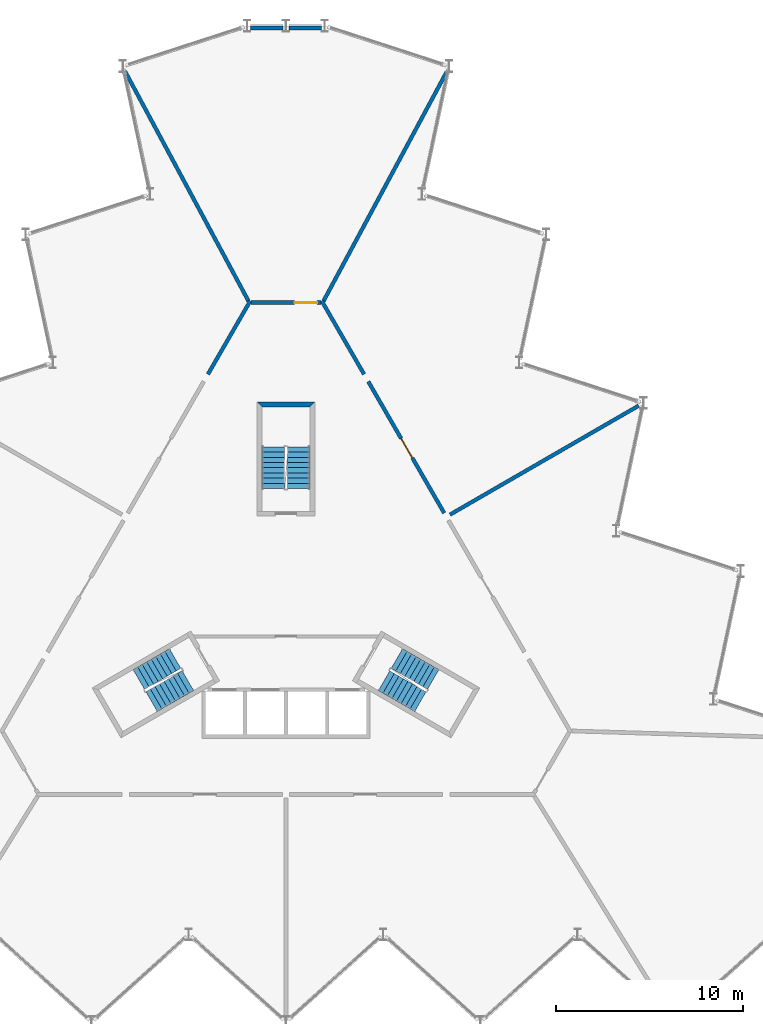
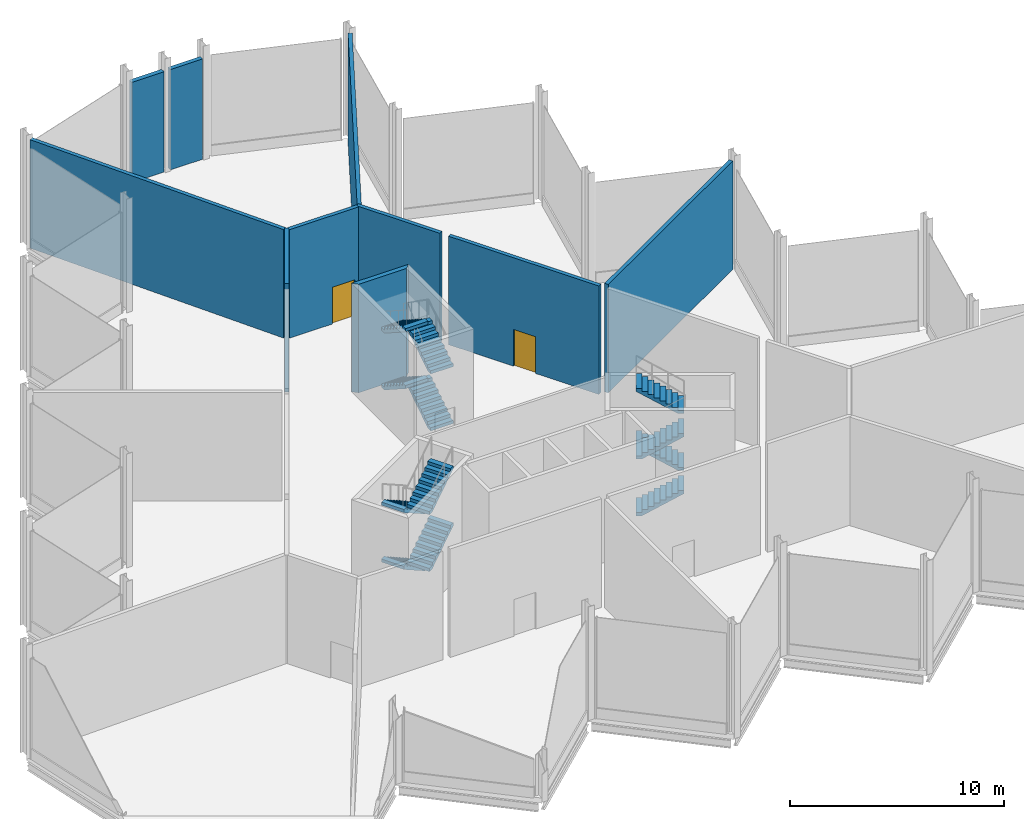
# One storey, part 11 of 12: 12 stair flights, 10 walls, 2 doors, 2 openings, 3 elements without a shape of their own.
"""IFC4 building model written with IfcOpenShell, lengths in metres."""

from ifc_helpers import new_model, si_unit, direction, frame, frame_2d, origin, place, context, subcontext, project, spatial, polyline, rectangle, outline, extrude, material, layer, layer_set, type_object, element, fill, aggregate, save


model = new_model("IFC4")

# Units and contexts
model_context = context("Model", 3, precision=1e-05, world=origin(), true_north=direction((0.0, 1.0)))
body_context = subcontext(model_context, "Body", "Model", "MODEL_VIEW")
ifc_project = project(units=[si_unit("LENGTHUNIT", "METRE"), si_unit("AREAUNIT", "SQUARE_METRE"), si_unit("VOLUMEUNIT", "CUBIC_METRE"), si_unit("PLANEANGLEUNIT", "RADIAN"), si_unit("MASSUNIT", "GRAM", prefix="KILO")], contexts=[model_context])

# Site, building, storey
site_placement = place(None, origin())
site = spatial("IfcSite", under=ifc_project, at=site_placement, CompositionType="ELEMENT")
building_placement = place(site_placement, origin())
building = spatial("IfcBuilding", under=site, at=building_placement, Name="Cormorant Prow Tower", CompositionType="ELEMENT")
storey_placement = place(building_placement, frame((0.0, 0.0, 415.199951171875)))
storey = spatial("IfcBuildingStorey", under=building, at=storey_placement, Name="L94", CompositionType="ELEMENT", Elevation=415.199951171875)

# Wall, opening, door
ifc_material_1 = material(Name="Gypsum board corridor wall")
ifc_layer_1 = layer(ifc_material_1, 0.199951171875)
ifc_layer_set_1 = layer_set([ifc_layer_1], Name="Gypsum board corridor wall")
wall_type_1 = type_object("IfcWallType", Name="Corridor wall 200", PredefinedType="PARTITIONING", material=ifc_layer_set_1)
wall_1_placement = place(storey_placement, frame((4.403076171875, 12.184814453125, 0.0), z_axis=(0.0, 0.0, 1.0), x_axis=(0.499992155518, -0.866029932751, 0.0)))
wall_1 = element("IfcWall", 1, at=wall_1_placement, inside=storey, type_object=wall_type_1, Name="Corridor wall", PredefinedType="PARTITIONING", context=body_context, shape_type="SweptSolid", body=[
    extrude(rectangle(XDim=8.123291015625, YDim=0.199951171875, at=frame_2d((4.0615234375, 0.0))), origin(), (0.0, 0.0, 1.0), 6.199951171875),
])
opening_1_placement = place(wall_1_placement, frame((3.511962890625, 0.0, 0.0)))
opening_1 = element("IfcOpeningElement", 2, at=opening_1_placement, cuts=wall_1, Name="Opening L94-F08", PredefinedType="OPENING", context=body_context, shape_type="SweptSolid", body=[
    extrude(rectangle(XDim=1.199951171875, YDim=2.10009765625, at=frame_2d((0.60009765625, 1.050048828125))), frame((0.0, 0.10986328125, 0.0), z_axis=(0.0, -1.0, 0.0), x_axis=(1.0, 0.0, 0.0)), (0.0, 0.0, 1.0), 0.219970703125),
])
ifc_material_2 = material(Name="Timber door leaf", Category="wood")
door_type = type_object("IfcDoorType", Name="Plant room door 1200x2100", OperationType="NOTDEFINED", PredefinedType="DOOR", material=ifc_material_2)
door_1_placement = place(opening_1_placement, origin())
door_1 = element("IfcDoor", 3, at=door_1_placement, inside=storey, type_object=door_type, Name="Water tank room door", OperationType="SINGLE_SWING_RIGHT", OverallHeight=2.10009765625, OverallWidth=1.199951171875, PredefinedType="DOOR", context=body_context, shape_type="SweptSolid", body=[
    extrude(rectangle(XDim=1.199951171875, YDim=2.10009765625, at=frame_2d((0.60009765625, 1.050048828125))), frame((0.0, 0.02490234375, 0.0), z_axis=(0.0, -1.0, 0.0), x_axis=(1.0, 0.0, 0.0)), (0.0, 0.0, 1.0), 0.050048828125),
])
fill(opening_1, door_1)

# Walls
for number, where, z_axis, x_axis, name in (
    (4, (1.9130859375, 16.497802734375, 0.0), (0.0, 0.0, 1.0), (0.499974648164, -0.866040040179, 0.0), "Corridor wall"),
    (5, (-4.175537109375, 12.578857421875, 0.0), (0.0, 0.0, 1.0), (0.499974648164, 0.866040040179, 0.0), "Corridor wall"),
):
    element("IfcWall", number, at=place(storey_placement, frame(where, z_axis=z_axis, x_axis=x_axis)), inside=storey, type_object=wall_type_1, Name=name, PredefinedType="PARTITIONING", context=body_context, shape_type="SweptSolid", body=[
        extrude(rectangle(XDim=4.525146484375, YDim=0.199951171875, at=frame_2d((2.2626953125, 0.0))), origin(), (0.0, 0.0, 1.0), 6.199951171875),
    ])

# Wall, opening, door
wall_2_placement = place(storey_placement, frame((-1.863037109375, 16.4111328125, 0.0), z_axis=(0.0, 0.0, 1.0), x_axis=(1.0, 0.0, 0.0)))
wall_2 = element("IfcWall", 6, at=wall_2_placement, inside=storey, type_object=wall_type_1, Name="Corridor wall", PredefinedType="PARTITIONING", context=body_context, shape_type="SweptSolid", body=[
    extrude(rectangle(XDim=3.72607421875, YDim=0.199951171875, at=frame_2d((1.863037109375, 0.0))), origin(), (0.0, 0.0, 1.0), 6.199951171875),
])
opening_2_placement = place(wall_2_placement, frame((2.324951171875, 0.0, 0.0)))
opening_2 = element("IfcOpeningElement", 7, at=opening_2_placement, cuts=wall_2, Name="Opening L94-F09", PredefinedType="OPENING", context=body_context, shape_type="SweptSolid", body=[
    extrude(rectangle(XDim=1.199951171875, YDim=2.10009765625, at=frame_2d((0.60009765625, 1.050048828125))), frame((0.0, 0.10986328125, 0.0), z_axis=(0.0, -1.0, 0.0), x_axis=(1.0, 0.0, 0.0)), (0.0, 0.0, 1.0), 0.219970703125),
])
door_2_placement = place(opening_2_placement, origin())
door_2 = element("IfcDoor", 8, at=door_2_placement, inside=storey, type_object=door_type, Name="Electrical switch room door", OperationType="SINGLE_SWING_RIGHT", OverallHeight=2.10009765625, OverallWidth=1.199951171875, PredefinedType="DOOR", context=body_context, shape_type="SweptSolid", body=[
    extrude(rectangle(XDim=1.199951171875, YDim=2.10009765625, at=frame_2d((0.60009765625, 1.050048828125))), frame((0.0, 0.02490234375, 0.0), z_axis=(0.0, -1.0, 0.0), x_axis=(1.0, 0.0, 0.0)), (0.0, 0.0, 1.0), 0.050048828125),
])
fill(opening_2, door_2)

# Walls
ifc_material_3 = material(Name="Gypsum board demising wall")
ifc_layer_2 = layer(ifc_material_3, 0.199951171875)
ifc_layer_set_2 = layer_set([ifc_layer_2], Name="Gypsum board demising wall")
wall_type_2 = type_object("IfcWallType", Name="Demising wall 200", PredefinedType="PARTITIONING", material=ifc_layer_set_2)
for number, where, z_axis, x_axis, name in (
    (9, (-8.618896484375, 28.797119140625, 0.0), (0.0, 0.0, 1.0), (0.473341524228, -0.880878993643, 0.0), "Demising wall"),
    (10, (2.010498046875, 16.4990234375, 0.0), (0.0, 0.0, 1.0), (0.473341524228, 0.880878993643, 0.0), "Demising wall"),
):
    element("IfcWall", number, at=place(storey_placement, frame(where, z_axis=z_axis, x_axis=x_axis)), inside=storey, type_object=wall_type_2, Name=name, PredefinedType="PARTITIONING", context=body_context, shape_type="SweptSolid", body=[
        extrude(rectangle(XDim=13.961181640625, YDim=0.199951171875, at=frame_2d((6.98046875, 0.0))), origin(), (0.0, 0.0, 1.0), 6.199951171875),
    ])
wall_3_placement = place(storey_placement, frame((8.775390625, 5.06640625, 0.0), z_axis=(0.0, 0.0, 1.0), x_axis=(0.866023724155, 0.500002909193, 0.0)))
element("IfcWall", 11, at=wall_3_placement, inside=storey, type_object=wall_type_2, Name="Demising wall", PredefinedType="PARTITIONING", context=body_context, shape_type="SweptSolid", body=[
    extrude(rectangle(XDim=11.65478515625, YDim=0.199951171875, at=frame_2d((5.827392578125, 0.0))), origin(), (0.0, 0.0, 1.0), 6.199951171875),
])
ifc_material_4 = material(Name="Concrete 8000 psi", Category="concrete")
ifc_layer_3 = layer(ifc_material_4, 0.25)
ifc_layer_set_3 = layer_set([ifc_layer_3], Name="Concrete 8000 psi")
wall_type_3 = type_object("IfcWallType", Name="Stair wall 250", PredefinedType="SHEAR", material=ifc_layer_set_3)
wall_4_placement = place(storey_placement, origin())
element("IfcWall", 12, at=wall_4_placement, inside=storey, type_object=wall_type_3, Name="Stair ST3 enclosure wall (end)", PredefinedType="SHEAR", context=body_context, shape_type="SweptSolid", body=[
    extrude(outline(polyline([(1.5439453125, 11.0869140625), (-1.5439453125, 11.0869140625), (-1.2939453125, 10.8369140625), (1.2939453125, 10.8369140625), (1.5439453125, 11.0869140625)])), origin(), (0.0, 0.0, 1.0), 6.199951171875),
])
ifc_material_5 = material(Name="Terracotta", Category="masonry")
ifc_layer_4 = layer(ifc_material_5, 0.22998046875)
ifc_layer_set_4 = layer_set([ifc_layer_4], Name="Terracotta")
wall_type_4 = type_object("IfcWallType", Name="Terracotta crown cladding wall 230", PredefinedType="SOLIDWALL", material=ifc_layer_set_4)
for number, where, z_axis, x_axis, name in (
    (13, (1.91064453125, 31.1044921875, 0.0), (0.0, 0.0, 1.0), (-1.0, 0.0, 0.0), "Terracotta crown wall N00"),
    (14, (-0.163330078125, 31.1044921875, 0.0), (0.0, 0.0, 1.0), (-1.0, 0.0, 0.0), "Terracotta crown wall N01"),
):
    element("IfcWall", number, at=place(storey_placement, frame(where, z_axis=z_axis, x_axis=x_axis)), inside=storey, type_object=wall_type_4, Name=name, PredefinedType="SOLIDWALL", context=body_context, shape_type="SweptSolid", body=[
        extrude(rectangle(XDim=1.747314453125, YDim=0.22998046875, at=frame_2d((0.87353515625, 0.0))), origin(), (0.0, 0.0, 1.0), 5.73388671875),
    ])

# Stair, stair flights
ifc_material_6 = material(Name="Exit stair 36 risers")
stair_type = type_object("IfcStairType", Name="Exit stair 36 risers", PredefinedType="HALF_TURN_STAIR", material=ifc_material_6)
stair_1_placement = place(storey_placement, origin())
stair_1 = element("IfcStair", 15, at=stair_1_placement, inside=storey, type_object=stair_type, Name="L94 Exit stair ST1", PredefinedType="HALF_TURN_STAIR")
ifc_material_7 = material(Name="Concrete 5000 psi", Category="concrete")
stair_flight_type = type_object("IfcStairFlightType", Name="Stair flight 1219", PredefinedType="STRAIGHT", material=ifc_material_7)
stair_flight_1_placement = place(storey_placement, frame((-5.93310546875, -2.635009765625, 0.0), z_axis=(0.0, 0.0, 1.0), x_axis=(-0.866025403784, -0.5, 0.0)))
stair_flight_1 = element("IfcStairFlight", 16, at=stair_flight_1_placement, type_object=stair_flight_type, Name="ST1 flight 1", NumberOfRisers=9, NumberOfTreads=8, PredefinedType="STRAIGHT", RiserHeight=0.180555556, TreadLength=0.28, context=body_context, shape_type="SweptSolid", body=[
    extrude(outline(polyline([(0.0, 0.0), (0.0, 0.1806640625), (0.280029296875, 0.1806640625), (0.280029296875, 0.361083984375), (0.56005859375, 0.361083984375), (0.56005859375, 0.541748046875), (0.840087890625, 0.541748046875), (0.840087890625, 0.72216796875), (1.1201171875, 0.72216796875), (1.1201171875, 0.90283203125), (1.39990234375, 0.90283203125), (1.39990234375, 1.083251953125), (1.679931640625, 1.083251953125), (1.679931640625, 1.263916015625), (1.9599609375, 1.263916015625), (1.9599609375, 1.4443359375), (2.239990234375, 1.4443359375), (2.239990234375, 1.625), (2.239990234375, 1.26611328125), (0.276611328125, 0.0), (0.0, 0.0)])), frame((0.0, 0.609375, 0.0), z_axis=(0.0, -1.0, 0.0), x_axis=(1.0, 0.0, 0.0)), (0.0, 0.0, 1.0), 1.218994140625),
])
stair_flight_2_placement = place(storey_placement, frame((-7.1884765625, -4.940673828125, 1.625), z_axis=(0.0, 0.0, 1.0), x_axis=(0.866025403784, 0.5, 0.0)))
stair_flight_2 = element("IfcStairFlight", 17, at=stair_flight_2_placement, type_object=stair_flight_type, Name="ST1 flight 2", NumberOfRisers=9, NumberOfTreads=8, PredefinedType="STRAIGHT", RiserHeight=0.180555556, TreadLength=0.28, context=body_context, shape_type="SweptSolid", body=[
    extrude(outline(polyline([(0.0, 0.0), (0.0, 0.1806640625), (0.280029296875, 0.1806640625), (0.280029296875, 0.361083984375), (0.56005859375, 0.361083984375), (0.56005859375, 0.541748046875), (0.840087890625, 0.541748046875), (0.840087890625, 0.72216796875), (1.1201171875, 0.72216796875), (1.1201171875, 0.90283203125), (1.39990234375, 0.90283203125), (1.39990234375, 1.083251953125), (1.679931640625, 1.083251953125), (1.679931640625, 1.263916015625), (1.9599609375, 1.263916015625), (1.9599609375, 1.4443359375), (2.239990234375, 1.4443359375), (2.239990234375, 1.625), (2.239990234375, 1.26611328125), (0.276611328125, 0.0), (0.0, 0.0)])), frame((0.0, 0.609375, 0.0), z_axis=(0.0, -1.0, 0.0), x_axis=(1.0, 0.0, 0.0)), (0.0, 0.0, 1.0), 1.218994140625),
])
stair_flight_3_placement = place(storey_placement, frame((-5.93310546875, -2.635009765625, 3.25), z_axis=(0.0, 0.0, 1.0), x_axis=(-0.866025403784, -0.5, 0.0)))
stair_flight_3 = element("IfcStairFlight", 18, at=stair_flight_3_placement, type_object=stair_flight_type, Name="ST1 flight 3", NumberOfRisers=9, NumberOfTreads=8, PredefinedType="STRAIGHT", RiserHeight=0.180555556, TreadLength=0.28, context=body_context, shape_type="SweptSolid", body=[
    extrude(outline(polyline([(0.0, 0.0), (0.0, 0.1806640625), (0.280029296875, 0.1806640625), (0.280029296875, 0.361083984375), (0.56005859375, 0.361083984375), (0.56005859375, 0.541748046875), (0.840087890625, 0.541748046875), (0.840087890625, 0.72216796875), (1.1201171875, 0.72216796875), (1.1201171875, 0.90283203125), (1.39990234375, 0.90283203125), (1.39990234375, 1.083251953125), (1.679931640625, 1.083251953125), (1.679931640625, 1.263916015625), (1.9599609375, 1.263916015625), (1.9599609375, 1.4443359375), (2.239990234375, 1.4443359375), (2.239990234375, 1.625), (2.239990234375, 1.26611328125), (0.276611328125, 0.0), (0.0, 0.0)])), frame((0.0, 0.609375, 0.0), z_axis=(0.0, -1.0, 0.0), x_axis=(1.0, 0.0, 0.0)), (0.0, 0.0, 1.0), 1.218994140625),
])
stair_flight_4_placement = place(storey_placement, frame((-7.1884765625, -4.940673828125, 4.875), z_axis=(0.0, 0.0, 1.0), x_axis=(0.866025403784, 0.5, 0.0)))
stair_flight_4 = element("IfcStairFlight", 19, at=stair_flight_4_placement, type_object=stair_flight_type, Name="ST1 flight 4", NumberOfRisers=9, NumberOfTreads=8, PredefinedType="STRAIGHT", RiserHeight=0.180555556, TreadLength=0.28, context=body_context, shape_type="SweptSolid", body=[
    extrude(outline(polyline([(0.0, 0.0), (0.0, 0.1806640625), (0.280029296875, 0.1806640625), (0.280029296875, 0.361083984375), (0.56005859375, 0.361083984375), (0.56005859375, 0.541748046875), (0.840087890625, 0.541748046875), (0.840087890625, 0.72216796875), (1.1201171875, 0.72216796875), (1.1201171875, 0.90283203125), (1.39990234375, 0.90283203125), (1.39990234375, 1.083251953125), (1.679931640625, 1.083251953125), (1.679931640625, 1.263916015625), (1.9599609375, 1.263916015625), (1.9599609375, 1.4443359375), (2.239990234375, 1.4443359375), (2.239990234375, 1.625), (2.239990234375, 1.26611328125), (0.276611328125, 0.0), (0.0, 0.0)])), frame((0.0, 0.609375, 0.0), z_axis=(0.0, -1.0, 0.0), x_axis=(1.0, 0.0, 0.0)), (0.0, 0.0, 1.0), 1.218994140625),
])
aggregate(stair_1, [stair_flight_1, stair_flight_2, stair_flight_3, stair_flight_4])

stair_2_placement = place(storey_placement, origin())
stair_2 = element("IfcStair", 20, at=stair_2_placement, inside=storey, type_object=stair_type, Name="L94 Exit stair ST2", PredefinedType="HALF_TURN_STAIR")
stair_flight_5_placement = place(storey_placement, frame((5.24853515625, -3.82080078125, 0.0), z_axis=(0.0, 0.0, 1.0), x_axis=(0.866025403784, -0.5, 0.0)))
stair_flight_5 = element("IfcStairFlight", 21, at=stair_flight_5_placement, type_object=stair_flight_type, Name="ST2 flight 1", NumberOfRisers=9, NumberOfTreads=8, PredefinedType="STRAIGHT", RiserHeight=0.180555556, TreadLength=0.28, context=body_context, shape_type="SweptSolid", body=[
    extrude(outline(polyline([(0.0, 0.0), (0.0, 0.1806640625), (0.280029296875, 0.1806640625), (0.280029296875, 0.361083984375), (0.56005859375, 0.361083984375), (0.56005859375, 0.541748046875), (0.840087890625, 0.541748046875), (0.840087890625, 0.72216796875), (1.1201171875, 0.72216796875), (1.1201171875, 0.90283203125), (1.39990234375, 0.90283203125), (1.39990234375, 1.083251953125), (1.679931640625, 1.083251953125), (1.679931640625, 1.263916015625), (1.9599609375, 1.263916015625), (1.9599609375, 1.4443359375), (2.239990234375, 1.4443359375), (2.239990234375, 1.625), (2.239990234375, 1.26611328125), (0.276611328125, 0.0), (0.0, 0.0)])), frame((0.0, 0.609375, 0.0), z_axis=(0.0, -1.0, 0.0), x_axis=(1.0, 0.0, 0.0)), (0.0, 0.0, 1.0), 1.218994140625),
])
stair_flight_6_placement = place(storey_placement, frame((7.873046875, -3.755126953125, 1.625), z_axis=(0.0, 0.0, 1.0), x_axis=(-0.866025403784, 0.5, 0.0)))
stair_flight_6 = element("IfcStairFlight", 22, at=stair_flight_6_placement, type_object=stair_flight_type, Name="ST2 flight 2", NumberOfRisers=9, NumberOfTreads=8, PredefinedType="STRAIGHT", RiserHeight=0.180555556, TreadLength=0.28, context=body_context, shape_type="SweptSolid", body=[
    extrude(outline(polyline([(0.0, 0.0), (0.0, 0.1806640625), (0.280029296875, 0.1806640625), (0.280029296875, 0.361083984375), (0.56005859375, 0.361083984375), (0.56005859375, 0.541748046875), (0.840087890625, 0.541748046875), (0.840087890625, 0.72216796875), (1.1201171875, 0.72216796875), (1.1201171875, 0.90283203125), (1.39990234375, 0.90283203125), (1.39990234375, 1.083251953125), (1.679931640625, 1.083251953125), (1.679931640625, 1.263916015625), (1.9599609375, 1.263916015625), (1.9599609375, 1.4443359375), (2.239990234375, 1.4443359375), (2.239990234375, 1.625), (2.239990234375, 1.26611328125), (0.276611328125, 0.0), (0.0, 0.0)])), frame((0.0, 0.609375, 0.0), z_axis=(0.0, -1.0, 0.0), x_axis=(1.0, 0.0, 0.0)), (0.0, 0.0, 1.0), 1.218994140625),
])
stair_flight_7_placement = place(storey_placement, frame((5.24853515625, -3.82080078125, 3.25), z_axis=(0.0, 0.0, 1.0), x_axis=(0.866025403784, -0.5, 0.0)))
stair_flight_7 = element("IfcStairFlight", 23, at=stair_flight_7_placement, type_object=stair_flight_type, Name="ST2 flight 3", NumberOfRisers=9, NumberOfTreads=8, PredefinedType="STRAIGHT", RiserHeight=0.180555556, TreadLength=0.28, context=body_context, shape_type="SweptSolid", body=[
    extrude(outline(polyline([(0.0, 0.0), (0.0, 0.1806640625), (0.280029296875, 0.1806640625), (0.280029296875, 0.361083984375), (0.56005859375, 0.361083984375), (0.56005859375, 0.541748046875), (0.840087890625, 0.541748046875), (0.840087890625, 0.72216796875), (1.1201171875, 0.72216796875), (1.1201171875, 0.90283203125), (1.39990234375, 0.90283203125), (1.39990234375, 1.083251953125), (1.679931640625, 1.083251953125), (1.679931640625, 1.263916015625), (1.9599609375, 1.263916015625), (1.9599609375, 1.4443359375), (2.239990234375, 1.4443359375), (2.239990234375, 1.625), (2.239990234375, 1.26611328125), (0.276611328125, 0.0), (0.0, 0.0)])), frame((0.0, 0.609375, 0.0), z_axis=(0.0, -1.0, 0.0), x_axis=(1.0, 0.0, 0.0)), (0.0, 0.0, 1.0), 1.218994140625),
])
stair_flight_8_placement = place(storey_placement, frame((7.873046875, -3.755126953125, 4.875), z_axis=(0.0, 0.0, 1.0), x_axis=(-0.866025403784, 0.5, 0.0)))
stair_flight_8 = element("IfcStairFlight", 24, at=stair_flight_8_placement, type_object=stair_flight_type, Name="ST2 flight 4", NumberOfRisers=9, NumberOfTreads=8, PredefinedType="STRAIGHT", RiserHeight=0.180555556, TreadLength=0.28, context=body_context, shape_type="SweptSolid", body=[
    extrude(outline(polyline([(0.0, 0.0), (0.0, 0.1806640625), (0.280029296875, 0.1806640625), (0.280029296875, 0.361083984375), (0.56005859375, 0.361083984375), (0.56005859375, 0.541748046875), (0.840087890625, 0.541748046875), (0.840087890625, 0.72216796875), (1.1201171875, 0.72216796875), (1.1201171875, 0.90283203125), (1.39990234375, 0.90283203125), (1.39990234375, 1.083251953125), (1.679931640625, 1.083251953125), (1.679931640625, 1.263916015625), (1.9599609375, 1.263916015625), (1.9599609375, 1.4443359375), (2.239990234375, 1.4443359375), (2.239990234375, 1.625), (2.239990234375, 1.26611328125), (0.276611328125, 0.0), (0.0, 0.0)])), frame((0.0, 0.609375, 0.0), z_axis=(0.0, -1.0, 0.0), x_axis=(1.0, 0.0, 0.0)), (0.0, 0.0, 1.0), 1.218994140625),
])
aggregate(stair_2, [stair_flight_5, stair_flight_6, stair_flight_7, stair_flight_8])

stair_3_placement = place(storey_placement, origin())
stair_3 = element("IfcStair", 25, at=stair_3_placement, inside=storey, type_object=stair_type, Name="L94 Exit stair ST3", PredefinedType="HALF_TURN_STAIR")
stair_flight_9_placement = place(storey_placement, frame((0.6845703125, 6.455810546875, 0.0), z_axis=(0.0, 0.0, 1.0), x_axis=(0.0, 1.0, 0.0)))
stair_flight_9 = element("IfcStairFlight", 26, at=stair_flight_9_placement, type_object=stair_flight_type, Name="ST3 flight 1", NumberOfRisers=9, NumberOfTreads=8, PredefinedType="STRAIGHT", RiserHeight=0.180555556, TreadLength=0.28, context=body_context, shape_type="SweptSolid", body=[
    extrude(outline(polyline([(0.0, 0.0), (0.0, 0.1806640625), (0.280029296875, 0.1806640625), (0.280029296875, 0.361083984375), (0.56005859375, 0.361083984375), (0.56005859375, 0.541748046875), (0.840087890625, 0.541748046875), (0.840087890625, 0.72216796875), (1.1201171875, 0.72216796875), (1.1201171875, 0.90283203125), (1.39990234375, 0.90283203125), (1.39990234375, 1.083251953125), (1.679931640625, 1.083251953125), (1.679931640625, 1.263916015625), (1.9599609375, 1.263916015625), (1.9599609375, 1.4443359375), (2.239990234375, 1.4443359375), (2.239990234375, 1.625), (2.239990234375, 1.26611328125), (0.276611328125, 0.0), (0.0, 0.0)])), frame((0.0, 0.609375, 0.0), z_axis=(0.0, -1.0, 0.0), x_axis=(1.0, 0.0, 0.0)), (0.0, 0.0, 1.0), 1.218994140625),
])
stair_flight_10_placement = place(storey_placement, frame((-0.6845703125, 8.69580078125, 1.625), z_axis=(0.0, 0.0, 1.0), x_axis=(0.0, -1.0, 0.0)))
stair_flight_10 = element("IfcStairFlight", 27, at=stair_flight_10_placement, type_object=stair_flight_type, Name="ST3 flight 2", NumberOfRisers=9, NumberOfTreads=8, PredefinedType="STRAIGHT", RiserHeight=0.180555556, TreadLength=0.28, context=body_context, shape_type="SweptSolid", body=[
    extrude(outline(polyline([(0.0, 0.0), (0.0, 0.1806640625), (0.280029296875, 0.1806640625), (0.280029296875, 0.361083984375), (0.56005859375, 0.361083984375), (0.56005859375, 0.541748046875), (0.840087890625, 0.541748046875), (0.840087890625, 0.72216796875), (1.1201171875, 0.72216796875), (1.1201171875, 0.90283203125), (1.39990234375, 0.90283203125), (1.39990234375, 1.083251953125), (1.679931640625, 1.083251953125), (1.679931640625, 1.263916015625), (1.9599609375, 1.263916015625), (1.9599609375, 1.4443359375), (2.239990234375, 1.4443359375), (2.239990234375, 1.625), (2.239990234375, 1.26611328125), (0.276611328125, 0.0), (0.0, 0.0)])), frame((0.0, 0.609375, 0.0), z_axis=(0.0, -1.0, 0.0), x_axis=(1.0, 0.0, 0.0)), (0.0, 0.0, 1.0), 1.218994140625),
])
stair_flight_11_placement = place(storey_placement, frame((0.6845703125, 6.455810546875, 3.25), z_axis=(0.0, 0.0, 1.0), x_axis=(0.0, 1.0, 0.0)))
stair_flight_11 = element("IfcStairFlight", 28, at=stair_flight_11_placement, type_object=stair_flight_type, Name="ST3 flight 3", NumberOfRisers=9, NumberOfTreads=8, PredefinedType="STRAIGHT", RiserHeight=0.180555556, TreadLength=0.28, context=body_context, shape_type="SweptSolid", body=[
    extrude(outline(polyline([(0.0, 0.0), (0.0, 0.1806640625), (0.280029296875, 0.1806640625), (0.280029296875, 0.361083984375), (0.56005859375, 0.361083984375), (0.56005859375, 0.541748046875), (0.840087890625, 0.541748046875), (0.840087890625, 0.72216796875), (1.1201171875, 0.72216796875), (1.1201171875, 0.90283203125), (1.39990234375, 0.90283203125), (1.39990234375, 1.083251953125), (1.679931640625, 1.083251953125), (1.679931640625, 1.263916015625), (1.9599609375, 1.263916015625), (1.9599609375, 1.4443359375), (2.239990234375, 1.4443359375), (2.239990234375, 1.625), (2.239990234375, 1.26611328125), (0.276611328125, 0.0), (0.0, 0.0)])), frame((0.0, 0.609375, 0.0), z_axis=(0.0, -1.0, 0.0), x_axis=(1.0, 0.0, 0.0)), (0.0, 0.0, 1.0), 1.218994140625),
])
stair_flight_12_placement = place(storey_placement, frame((-0.6845703125, 8.69580078125, 4.875), z_axis=(0.0, 0.0, 1.0), x_axis=(0.0, -1.0, 0.0)))
stair_flight_12 = element("IfcStairFlight", 29, at=stair_flight_12_placement, type_object=stair_flight_type, Name="ST3 flight 4", NumberOfRisers=9, NumberOfTreads=8, PredefinedType="STRAIGHT", RiserHeight=0.180555556, TreadLength=0.28, context=body_context, shape_type="SweptSolid", body=[
    extrude(outline(polyline([(0.0, 0.0), (0.0, 0.1806640625), (0.280029296875, 0.1806640625), (0.280029296875, 0.361083984375), (0.56005859375, 0.361083984375), (0.56005859375, 0.541748046875), (0.840087890625, 0.541748046875), (0.840087890625, 0.72216796875), (1.1201171875, 0.72216796875), (1.1201171875, 0.90283203125), (1.39990234375, 0.90283203125), (1.39990234375, 1.083251953125), (1.679931640625, 1.083251953125), (1.679931640625, 1.263916015625), (1.9599609375, 1.263916015625), (1.9599609375, 1.4443359375), (2.239990234375, 1.4443359375), (2.239990234375, 1.625), (2.239990234375, 1.26611328125), (0.276611328125, 0.0), (0.0, 0.0)])), frame((0.0, 0.609375, 0.0), z_axis=(0.0, -1.0, 0.0), x_axis=(1.0, 0.0, 0.0)), (0.0, 0.0, 1.0), 1.218994140625),
])
aggregate(stair_3, [stair_flight_9, stair_flight_10, stair_flight_11, stair_flight_12])

save(model, "model.ifc")
